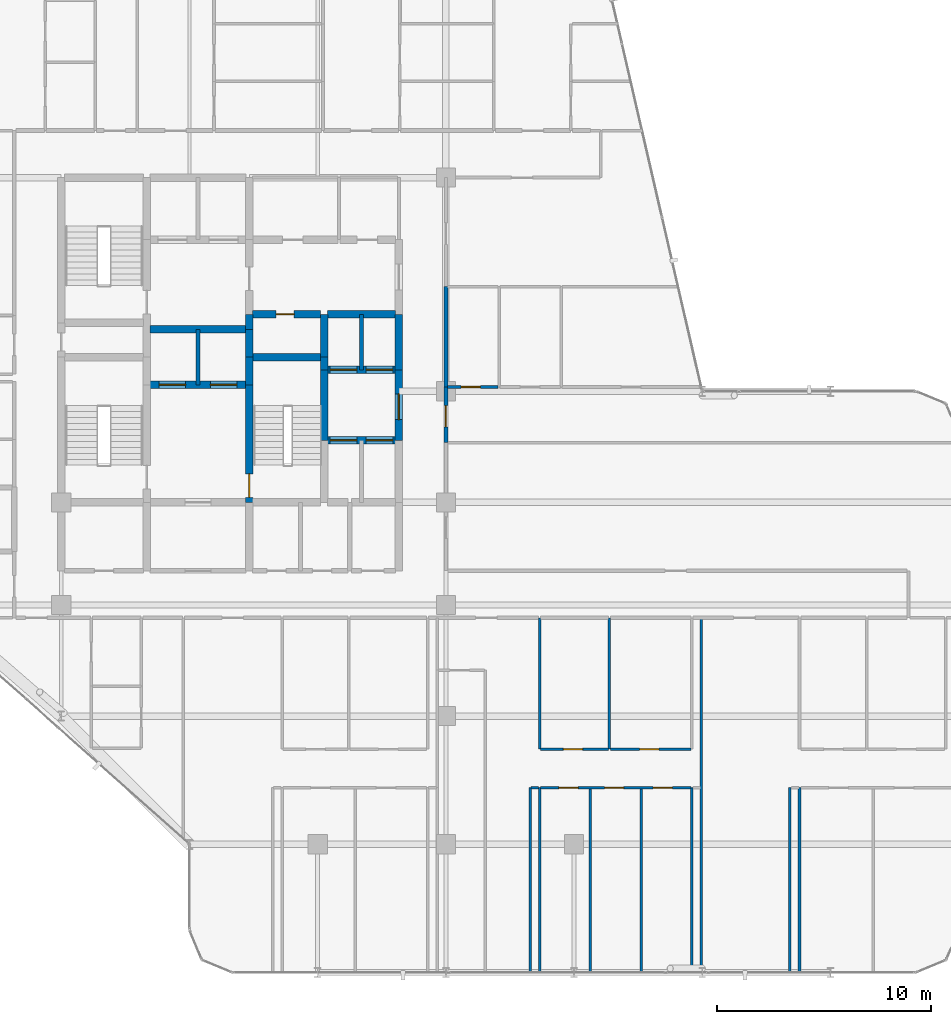
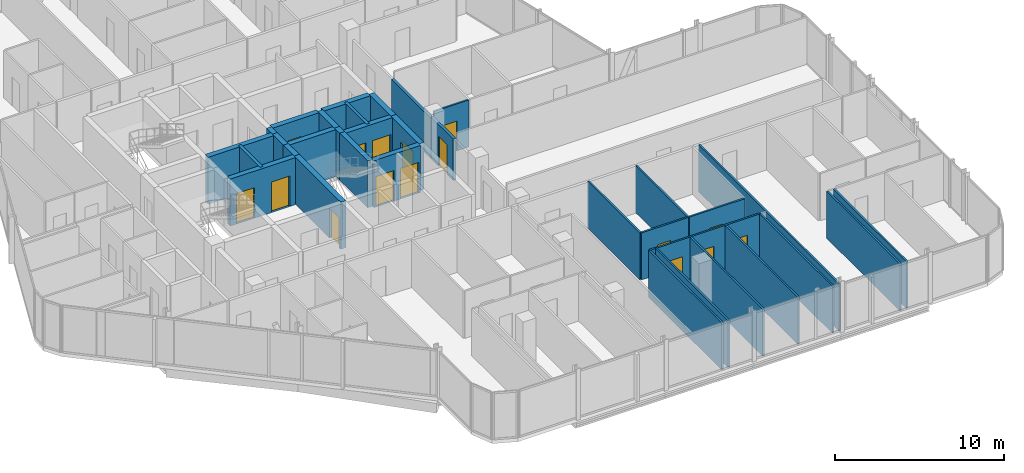
# One storey, part 25 of 29: 35 walls, 16 doors, 16 openings.
"""IFC4 building model written with IfcOpenShell, lengths in metres."""

from ifc_helpers import new_model, si_unit, direction, frame, frame_2d, origin, place, context, subcontext, project, spatial, rectangle, extrude, material, layer, layer_set, type_object, element, fill, save


model = new_model("IFC4")

# Units and contexts
model_context = context("Model", 3, precision=1e-05, world=origin(), true_north=direction((0.0, 1.0)))
body_context = subcontext(model_context, "Body", "Model", "MODEL_VIEW")
ifc_project = project(units=[si_unit("LENGTHUNIT", "METRE"), si_unit("AREAUNIT", "SQUARE_METRE"), si_unit("VOLUMEUNIT", "CUBIC_METRE"), si_unit("PLANEANGLEUNIT", "RADIAN"), si_unit("MASSUNIT", "GRAM", prefix="KILO")], contexts=[model_context])

# Site, building, storey
site_placement = place(None, origin())
site = spatial("IfcSite", under=ifc_project, at=site_placement, CompositionType="ELEMENT")
building_placement = place(site_placement, origin())
building = spatial("IfcBuilding", under=site, at=building_placement, Name="Keshet Zoharim Tower", CompositionType="ELEMENT")
storey_placement = place(building_placement, frame((0.0, 0.0, 172.800048828125)))
storey = spatial("IfcBuildingStorey", under=building, at=storey_placement, Name="L42", CompositionType="ELEMENT", Elevation=172.800048828125)

# Wall, opening, door
ifc_material_1 = material(Name="Concrete C60/75", Category="concrete")
ifc_layer_1 = layer(ifc_material_1, 0.35009765625)
ifc_layer_set_1 = layer_set([ifc_layer_1], Name="Concrete C60/75")
wall_type_1 = type_object("IfcWallType", Name="WL-CORE-350", PredefinedType="SHEAR", material=ifc_layer_set_1)
wall_1_placement = place(storey_placement, frame((23.800048828125, 22.699951171875, 0.0), z_axis=(0.0, 0.0, 1.0), x_axis=(0.0, 1.0, 0.0)))
wall_1 = element("IfcWall", 1, at=wall_1_placement, inside=storey, type_object=wall_type_1, Name="L42 Core Shear Wall 038", PredefinedType="SHEAR", context=body_context, shape_type="SweptSolid", body=[
    extrude(rectangle(XDim=5.5, YDim=0.35009765625, at=frame_2d((2.75, 0.0))), origin(), (0.0, 0.0, 1.0), 3.389892578125),
])
opening_1_placement = place(wall_1_placement, frame((0.235107421875, 0.0, 0.0)))
opening_1 = element("IfcOpeningElement", 2, at=opening_1_placement, cuts=wall_1, Name="Opening D-F611", PredefinedType="OPENING", context=body_context, shape_type="SweptSolid", body=[
    extrude(rectangle(XDim=1.10009765625, YDim=2.14990234375, at=frame_2d((0.550048828125, 1.074951171875))), frame((0.0, 0.18505859375, 0.0), z_axis=(0.0, -1.0, 0.0), x_axis=(1.0, 0.0, 0.0)), (0.0, 0.0, 1.0), 0.3701171875),
])
ifc_material_2 = material(Name="Hardwood Timber", Category="wood")
door_type_1 = type_object("IfcDoorType", Name="DR-FD60-110", OperationType="NOTDEFINED", PredefinedType="DOOR", material=ifc_material_2)
door_1_placement = place(opening_1_placement, frame((1.10009765625, 0.0, 0.0), z_axis=(0.0, 0.0, 1.0), x_axis=(-1.0, 0.0, 0.0)))
door_1 = element("IfcDoor", 3, at=door_1_placement, inside=storey, type_object=door_type_1, Name="L42 Exit Stair ST-03 Fire Door", OperationType="SINGLE_SWING_RIGHT", OverallHeight=2.14990234375, OverallWidth=1.10009765625, PredefinedType="DOOR", context=body_context, shape_type="SweptSolid", body=[
    extrude(rectangle(XDim=1.10009765625, YDim=2.14990234375, at=frame_2d((0.550048828125, 1.074951171875))), frame((0.0, 0.02490234375, 0.0), z_axis=(0.0, -1.0, 0.0), x_axis=(1.0, 0.0, 0.0)), (0.0, 0.0, 1.0), 0.050048828125),
])
fill(opening_1, door_1)

# Walls
for number, where, z_axis, x_axis, name in (
    (4, (23.800048828125, 28.199951171875, 0.0), (0.0, 0.0, 1.0), (0.0, 1.0, 0.0), "L42 Core Shear Wall 039"),
    (5, (23.800048828125, 29.5, 0.0), (0.0, 0.0, 1.0), (0.0, 1.0, 0.0), "L42 Core Shear Wall 040"),
):
    element("IfcWall", number, at=place(storey_placement, frame(where, z_axis=z_axis, x_axis=x_axis)), inside=storey, type_object=wall_type_1, Name=name, PredefinedType="SHEAR", context=body_context, shape_type="SweptSolid", body=[
        extrude(rectangle(XDim=1.300048828125, YDim=0.35009765625, at=frame_2d((0.64990234375, 0.0))), origin(), (0.0, 0.0, 1.0), 3.389892578125),
    ])
wall_2_placement = place(storey_placement, frame((23.800048828125, 30.800048828125, 0.0), z_axis=(0.0, 0.0, 1.0), x_axis=(0.0, 1.0, 0.0)))
element("IfcWall", 6, at=wall_2_placement, inside=storey, type_object=wall_type_1, Name="L42 Core Shear Wall 041", PredefinedType="SHEAR", context=body_context, shape_type="SweptSolid", body=[
    extrude(rectangle(XDim=0.699951171875, YDim=0.35009765625, at=frame_2d((0.35009765625, 0.0))), origin(), (0.0, 0.0, 1.0), 3.389892578125),
])
wall_3_placement = place(storey_placement, frame((27.300048828125, 25.60009765625, 0.0), z_axis=(0.0, 0.0, 1.0), x_axis=(0.0, 1.0, 0.0)))
element("IfcWall", 7, at=wall_3_placement, inside=storey, type_object=wall_type_1, Name="L42 Core Shear Wall 052", PredefinedType="SHEAR", context=body_context, shape_type="SweptSolid", body=[
    extrude(rectangle(XDim=3.2998046875, YDim=0.35009765625, at=frame_2d((1.64990234375, 0.0))), origin(), (0.0, 0.0, 1.0), 3.389892578125),
])
wall_4_placement = place(storey_placement, frame((27.300048828125, 28.89990234375, 0.0), z_axis=(0.0, 0.0, 1.0), x_axis=(0.0, 1.0, 0.0)))
element("IfcWall", 8, at=wall_4_placement, inside=storey, type_object=wall_type_1, Name="L42 Core Shear Wall 053", PredefinedType="SHEAR", context=body_context, shape_type="SweptSolid", body=[
    extrude(rectangle(XDim=0.60009765625, YDim=0.35009765625, at=frame_2d((0.300048828125, 0.0))), origin(), (0.0, 0.0, 1.0), 3.389892578125),
])
wall_5_placement = place(storey_placement, frame((27.300048828125, 29.5, 0.0), z_axis=(0.0, 0.0, 1.0), x_axis=(0.0, 1.0, 0.0)))
element("IfcWall", 9, at=wall_5_placement, inside=storey, type_object=wall_type_1, Name="L42 Core Shear Wall 054", PredefinedType="SHEAR", context=body_context, shape_type="SweptSolid", body=[
    extrude(rectangle(XDim=2.0, YDim=0.35009765625, at=frame_2d((1.0, 0.0))), origin(), (0.0, 0.0, 1.0), 3.389892578125),
])

# Wall, opening, door
wall_6_placement = place(storey_placement, frame((30.800048828125, 25.60009765625, 0.0), z_axis=(0.0, 0.0, 1.0), x_axis=(0.0, 1.0, 0.0)))
wall_6 = element("IfcWall", 10, at=wall_6_placement, inside=storey, type_object=wall_type_1, Name="L42 Core Shear Wall 063", PredefinedType="SHEAR", context=body_context, shape_type="SweptSolid", body=[
    extrude(rectangle(XDim=3.2998046875, YDim=0.35009765625, at=frame_2d((1.64990234375, 0.0))), origin(), (0.0, 0.0, 1.0), 3.389892578125),
])
opening_2_placement = place(wall_6_placement, frame((0.97802734375, 0.0, 0.0)))
opening_2 = element("IfcOpeningElement", 11, at=opening_2_placement, cuts=wall_6, Name="Opening D-F612", PredefinedType="OPENING", context=body_context, shape_type="SweptSolid", body=[
    extrude(rectangle(XDim=1.199951171875, YDim=2.199951171875, at=frame_2d((0.60009765625, 1.10009765625))), frame((0.0, 0.18505859375, 0.0), z_axis=(0.0, -1.0, 0.0), x_axis=(1.0, 0.0, 0.0)), (0.0, 0.0, 1.0), 0.3701171875),
])
door_type_2 = type_object("IfcDoorType", Name="DR-FD60-120", OperationType="NOTDEFINED", PredefinedType="DOOR", material=ifc_material_2)
door_2_placement = place(opening_2_placement, origin())
door_2 = element("IfcDoor", 12, at=door_2_placement, inside=storey, type_object=door_type_2, Name="L42 East Lift Lobby Fire Door", OperationType="SINGLE_SWING_RIGHT", OverallHeight=2.199951171875, OverallWidth=1.199951171875, PredefinedType="DOOR", context=body_context, shape_type="SweptSolid", body=[
    extrude(rectangle(XDim=1.199951171875, YDim=2.199951171875, at=frame_2d((0.60009765625, 1.10009765625))), frame((0.0, 0.02490234375, 0.0), z_axis=(0.0, -1.0, 0.0), x_axis=(1.0, 0.0, 0.0)), (0.0, 0.0, 1.0), 0.050048828125),
])
fill(opening_2, door_2)

# Wall
wall_7_placement = place(storey_placement, frame((30.800048828125, 28.89990234375, 0.0), z_axis=(0.0, 0.0, 1.0), x_axis=(0.0, 1.0, 0.0)))
element("IfcWall", 13, at=wall_7_placement, inside=storey, type_object=wall_type_1, Name="L42 Core Shear Wall 064", PredefinedType="SHEAR", context=body_context, shape_type="SweptSolid", body=[
    extrude(rectangle(XDim=2.60009765625, YDim=0.35009765625, at=frame_2d((1.300048828125, 0.0))), origin(), (0.0, 0.0, 1.0), 3.389892578125),
])

# Wall, openings, doors
wall_8_placement = place(storey_placement, frame((27.4599609375, 25.60009765625, 0.0), z_axis=(0.0, 0.0, 1.0), x_axis=(1.0, 0.0, 0.0)))
wall_8 = element("IfcWall", 14, at=wall_8_placement, inside=storey, type_object=wall_type_1, Name="L42 Core Shear Wall 152", PredefinedType="SHEAR", context=body_context, shape_type="SweptSolid", body=[
    extrude(rectangle(XDim=3.179931640625, YDim=0.35009765625, at=frame_2d((1.58984375, 0.0))), origin(), (0.0, 0.0, 1.0), 3.389892578125),
])
opening_3_placement = place(wall_8_placement, frame((0.1201171875, 0.0, 0.0)))
opening_3 = element("IfcOpeningElement", 15, at=opening_3_placement, cuts=wall_8, Name="Opening LD-01", PredefinedType="OPENING", context=body_context, shape_type="SweptSolid", body=[
    extrude(rectangle(XDim=1.25, YDim=2.199951171875, at=frame_2d((0.625, 1.10009765625))), frame((0.0, 0.18505859375, 0.0), z_axis=(0.0, -1.0, 0.0), x_axis=(1.0, 0.0, 0.0)), (0.0, 0.0, 1.0), 0.3701171875),
])
opening_4_placement = place(wall_8_placement, frame((1.81005859375, 0.0, 0.0)))
opening_4 = element("IfcOpeningElement", 16, at=opening_4_placement, cuts=wall_8, Name="Opening LD-01", PredefinedType="OPENING", context=body_context, shape_type="SweptSolid", body=[
    extrude(rectangle(XDim=1.25, YDim=2.199951171875, at=frame_2d((0.625, 1.10009765625))), frame((0.0, 0.18505859375, 0.0), z_axis=(0.0, -1.0, 0.0), x_axis=(1.0, 0.0, 0.0)), (0.0, 0.0, 1.0), 0.3701171875),
])
ifc_material_3 = material(Name="Steel S355", Category="steel")
door_type_3 = type_object("IfcDoorType", Name="DR-LD01-125", OperationType="DOUBLE_DOOR_SLIDING", PredefinedType="DOOR", material=ifc_material_3)
door_3_placement = place(opening_3_placement, origin())
door_3 = element("IfcDoor", 17, at=door_3_placement, inside=storey, type_object=door_type_3, Name="L42 Passenger Lift Landing Door LF-07", OperationType="DOUBLE_DOOR_SLIDING", OverallHeight=2.199951171875, OverallWidth=1.25, PredefinedType="DOOR", context=body_context, shape_type="SweptSolid", body=[
    extrude(rectangle(XDim=1.25, YDim=2.199951171875, at=frame_2d((0.625, 1.10009765625))), frame((0.0, 0.02490234375, 0.0), z_axis=(0.0, -1.0, 0.0), x_axis=(1.0, 0.0, 0.0)), (0.0, 0.0, 1.0), 0.050048828125),
])
fill(opening_3, door_3)
door_4_placement = place(opening_4_placement, origin())
door_4 = element("IfcDoor", 18, at=door_4_placement, inside=storey, type_object=door_type_3, Name="L42 Passenger Lift Landing Door LF-08", OperationType="DOUBLE_DOOR_SLIDING", OverallHeight=2.199951171875, OverallWidth=1.25, PredefinedType="DOOR", context=body_context, shape_type="SweptSolid", body=[
    extrude(rectangle(XDim=1.25, YDim=2.199951171875, at=frame_2d((0.625, 1.10009765625))), frame((0.0, 0.02490234375, 0.0), z_axis=(0.0, -1.0, 0.0), x_axis=(1.0, 0.0, 0.0)), (0.0, 0.0, 1.0), 0.050048828125),
])
fill(opening_4, door_4)

wall_9_placement = place(storey_placement, frame((19.159912109375, 28.199951171875, 0.0), z_axis=(0.0, 0.0, 1.0), x_axis=(1.0, 0.0, 0.0)))
wall_9 = element("IfcWall", 19, at=wall_9_placement, inside=storey, type_object=wall_type_1, Name="L42 Core Shear Wall 158", PredefinedType="SHEAR", context=body_context, shape_type="SweptSolid", body=[
    extrude(rectangle(XDim=4.47998046875, YDim=0.35009765625, at=frame_2d((2.239990234375, 0.0))), origin(), (0.0, 0.0, 1.0), 3.389892578125),
])
opening_5_placement = place(wall_9_placement, frame((0.4150390625, 0.0, 0.0)))
opening_5 = element("IfcOpeningElement", 20, at=opening_5_placement, cuts=wall_9, Name="Opening LD-01", PredefinedType="OPENING", context=body_context, shape_type="SweptSolid", body=[
    extrude(rectangle(XDim=1.25, YDim=2.199951171875, at=frame_2d((0.625, 1.10009765625))), frame((0.0, 0.18505859375, 0.0), z_axis=(0.0, -1.0, 0.0), x_axis=(1.0, 0.0, 0.0)), (0.0, 0.0, 1.0), 0.3701171875),
])
opening_6_placement = place(wall_9_placement, frame((2.81494140625, 0.0, 0.0)))
opening_6 = element("IfcOpeningElement", 21, at=opening_6_placement, cuts=wall_9, Name="Opening LD-01", PredefinedType="OPENING", context=body_context, shape_type="SweptSolid", body=[
    extrude(rectangle(XDim=1.25, YDim=2.199951171875, at=frame_2d((0.625, 1.10009765625))), frame((0.0, 0.18505859375, 0.0), z_axis=(0.0, -1.0, 0.0), x_axis=(1.0, 0.0, 0.0)), (0.0, 0.0, 1.0), 0.3701171875),
])
door_5_placement = place(opening_5_placement, origin())
door_5 = element("IfcDoor", 22, at=door_5_placement, inside=storey, type_object=door_type_3, Name="L42 Passenger Lift Landing Door LF-09", OperationType="DOUBLE_DOOR_SLIDING", OverallHeight=2.199951171875, OverallWidth=1.25, PredefinedType="DOOR", context=body_context, shape_type="SweptSolid", body=[
    extrude(rectangle(XDim=1.25, YDim=2.199951171875, at=frame_2d((0.625, 1.10009765625))), frame((0.0, 0.02490234375, 0.0), z_axis=(0.0, -1.0, 0.0), x_axis=(1.0, 0.0, 0.0)), (0.0, 0.0, 1.0), 0.050048828125),
])
fill(opening_5, door_5)
door_6_placement = place(opening_6_placement, origin())
door_6 = element("IfcDoor", 23, at=door_6_placement, inside=storey, type_object=door_type_3, Name="L42 Passenger Lift Landing Door LF-10", OperationType="DOUBLE_DOOR_SLIDING", OverallHeight=2.199951171875, OverallWidth=1.25, PredefinedType="DOOR", context=body_context, shape_type="SweptSolid", body=[
    extrude(rectangle(XDim=1.25, YDim=2.199951171875, at=frame_2d((0.625, 1.10009765625))), frame((0.0, 0.02490234375, 0.0), z_axis=(0.0, -1.0, 0.0), x_axis=(1.0, 0.0, 0.0)), (0.0, 0.0, 1.0), 0.050048828125),
])
fill(opening_6, door_6)

wall_10_placement = place(storey_placement, frame((27.4599609375, 28.89990234375, 0.0), z_axis=(0.0, 0.0, 1.0), x_axis=(1.0, 0.0, 0.0)))
wall_10 = element("IfcWall", 24, at=wall_10_placement, inside=storey, type_object=wall_type_1, Name="L42 Core Shear Wall 163", PredefinedType="SHEAR", context=body_context, shape_type="SweptSolid", body=[
    extrude(rectangle(XDim=3.179931640625, YDim=0.35009765625, at=frame_2d((1.58984375, 0.0))), origin(), (0.0, 0.0, 1.0), 3.389892578125),
])
opening_7_placement = place(wall_10_placement, frame((0.1201171875, 0.0, 0.0)))
opening_7 = element("IfcOpeningElement", 25, at=opening_7_placement, cuts=wall_10, Name="Opening LD-01", PredefinedType="OPENING", context=body_context, shape_type="SweptSolid", body=[
    extrude(rectangle(XDim=1.25, YDim=2.199951171875, at=frame_2d((0.625, 1.10009765625))), frame((0.0, 0.18505859375, 0.0), z_axis=(0.0, -1.0, 0.0), x_axis=(1.0, 0.0, 0.0)), (0.0, 0.0, 1.0), 0.3701171875),
])
opening_8_placement = place(wall_10_placement, frame((1.81005859375, 0.0, 0.0)))
opening_8 = element("IfcOpeningElement", 26, at=opening_8_placement, cuts=wall_10, Name="Opening LD-01", PredefinedType="OPENING", context=body_context, shape_type="SweptSolid", body=[
    extrude(rectangle(XDim=1.25, YDim=2.199951171875, at=frame_2d((0.625, 1.10009765625))), frame((0.0, 0.18505859375, 0.0), z_axis=(0.0, -1.0, 0.0), x_axis=(1.0, 0.0, 0.0)), (0.0, 0.0, 1.0), 0.3701171875),
])
door_7_placement = place(opening_7_placement, origin())
door_7 = element("IfcDoor", 27, at=door_7_placement, inside=storey, type_object=door_type_3, Name="L42 Passenger Lift Landing Door LF-05", OperationType="DOUBLE_DOOR_SLIDING", OverallHeight=2.199951171875, OverallWidth=1.25, PredefinedType="DOOR", context=body_context, shape_type="SweptSolid", body=[
    extrude(rectangle(XDim=1.25, YDim=2.199951171875, at=frame_2d((0.625, 1.10009765625))), frame((0.0, 0.02490234375, 0.0), z_axis=(0.0, -1.0, 0.0), x_axis=(1.0, 0.0, 0.0)), (0.0, 0.0, 1.0), 0.050048828125),
])
fill(opening_7, door_7)
door_8_placement = place(opening_8_placement, origin())
door_8 = element("IfcDoor", 28, at=door_8_placement, inside=storey, type_object=door_type_3, Name="L42 Passenger Lift Landing Door LF-06", OperationType="DOUBLE_DOOR_SLIDING", OverallHeight=2.199951171875, OverallWidth=1.25, PredefinedType="DOOR", context=body_context, shape_type="SweptSolid", body=[
    extrude(rectangle(XDim=1.25, YDim=2.199951171875, at=frame_2d((0.625, 1.10009765625))), frame((0.0, 0.02490234375, 0.0), z_axis=(0.0, -1.0, 0.0), x_axis=(1.0, 0.0, 0.0)), (0.0, 0.0, 1.0), 0.050048828125),
])
fill(opening_8, door_8)

# Walls
wall_11_placement = place(storey_placement, frame((23.9599609375, 29.5, 0.0), z_axis=(0.0, 0.0, 1.0), x_axis=(1.0, 0.0, 0.0)))
element("IfcWall", 29, at=wall_11_placement, inside=storey, type_object=wall_type_1, Name="L42 Core Shear Wall 165", PredefinedType="SHEAR", context=body_context, shape_type="SweptSolid", body=[
    extrude(rectangle(XDim=3.179931640625, YDim=0.35009765625, at=frame_2d((1.58984375, 0.0))), origin(), (0.0, 0.0, 1.0), 3.389892578125),
])
wall_12_placement = place(storey_placement, frame((19.159912109375, 30.800048828125, 0.0), z_axis=(0.0, 0.0, 1.0), x_axis=(1.0, 0.0, 0.0)))
element("IfcWall", 30, at=wall_12_placement, inside=storey, type_object=wall_type_1, Name="L42 Core Shear Wall 166", PredefinedType="SHEAR", context=body_context, shape_type="SweptSolid", body=[
    extrude(rectangle(XDim=4.47998046875, YDim=0.35009765625, at=frame_2d((2.239990234375, 0.0))), origin(), (0.0, 0.0, 1.0), 3.389892578125),
])

# Wall, opening, door
wall_13_placement = place(storey_placement, frame((23.9599609375, 31.5, 0.0), z_axis=(0.0, 0.0, 1.0), x_axis=(1.0, 0.0, 0.0)))
wall_13 = element("IfcWall", 31, at=wall_13_placement, inside=storey, type_object=wall_type_1, Name="L42 Core Shear Wall 170", PredefinedType="SHEAR", context=body_context, shape_type="SweptSolid", body=[
    extrude(rectangle(XDim=3.179931640625, YDim=0.35009765625, at=frame_2d((1.58984375, 0.0))), origin(), (0.0, 0.0, 1.0), 3.389892578125),
])
opening_9_placement = place(wall_13_placement, frame((1.093994140625, 0.0, 0.0)))
opening_9 = element("IfcOpeningElement", 32, at=opening_9_placement, cuts=wall_13, Name="Opening D-RS85", PredefinedType="OPENING", context=body_context, shape_type="SweptSolid", body=[
    extrude(rectangle(XDim=0.85009765625, YDim=2.10009765625, at=frame_2d((0.425048828125, 1.050048828125))), frame((0.0, 0.18505859375, 0.0), z_axis=(0.0, -1.0, 0.0), x_axis=(1.0, 0.0, 0.0)), (0.0, 0.0, 1.0), 0.3701171875),
])
door_type_4 = type_object("IfcDoorType", Name="DR-RIS-085", OperationType="NOTDEFINED", PredefinedType="DOOR", material=ifc_material_2)
door_9_placement = place(opening_9_placement, origin())
door_9 = element("IfcDoor", 33, at=door_9_placement, inside=storey, type_object=door_type_4, Name="L42 Telecom Riser Access Cupboard Door", OperationType="SINGLE_SWING_LEFT", OverallHeight=2.10009765625, OverallWidth=0.85009765625, PredefinedType="DOOR", context=body_context, shape_type="SweptSolid", body=[
    extrude(rectangle(XDim=0.85009765625, YDim=2.10009765625, at=frame_2d((0.425048828125, 1.050048828125))), frame((0.0, 0.02490234375, 0.0), z_axis=(0.0, -1.0, 0.0), x_axis=(1.0, 0.0, 0.0)), (0.0, 0.0, 1.0), 0.050048828125),
])
fill(opening_9, door_9)

# Wall
wall_14_placement = place(storey_placement, frame((27.4599609375, 31.5, 0.0), z_axis=(0.0, 0.0, 1.0), x_axis=(1.0, 0.0, 0.0)))
element("IfcWall", 34, at=wall_14_placement, inside=storey, type_object=wall_type_1, Name="L42 Core Shear Wall 171", PredefinedType="SHEAR", context=body_context, shape_type="SweptSolid", body=[
    extrude(rectangle(XDim=3.179931640625, YDim=0.35009765625, at=frame_2d((1.58984375, 0.0))), origin(), (0.0, 0.0, 1.0), 3.389892578125),
])

# Wall, opening, door
ifc_material_4 = material(Name="Gypsum Plasterboard", Category="gypsum")
ifc_layer_2 = layer(ifc_material_4, 0.179931640625)
ifc_layer_set_2 = layer_set([ifc_layer_2], Name="Gypsum Plasterboard")
wall_type_2 = type_object("IfcWallType", Name="WL-CORR-180", PredefinedType="STANDARD", material=ifc_layer_set_2)
wall_15_placement = place(storey_placement, frame((33.0, 25.510009765625, 0.0), z_axis=(0.0, 0.0, 1.0), x_axis=(0.0, 1.0, 0.0)))
wall_15 = element("IfcWall", 35, at=wall_15_placement, inside=storey, type_object=wall_type_2, Name="L42 Interior Wall 076", PredefinedType="STANDARD", context=body_context, shape_type="SweptSolid", body=[
    extrude(rectangle(XDim=2.60009765625, YDim=0.179931640625, at=frame_2d((1.300048828125, 0.0))), origin(), (0.0, 0.0, 1.0), 2.989990234375),
])
opening_10_placement = place(wall_15_placement, frame((0.722900390625, 0.0, 0.0)))
opening_10 = element("IfcOpeningElement", 36, at=opening_10_placement, cuts=wall_15, Name="Opening D-F310", PredefinedType="OPENING", context=body_context, shape_type="SweptSolid", body=[
    extrude(rectangle(XDim=1.0, YDim=2.14990234375, at=frame_2d((0.5, 1.074951171875))), frame((0.0, 0.10009765625, 0.0), z_axis=(0.0, -1.0, 0.0), x_axis=(1.0, 0.0, 0.0)), (0.0, 0.0, 1.0), 0.199951171875),
])
door_type_5 = type_object("IfcDoorType", Name="DR-FD30-100", OperationType="NOTDEFINED", PredefinedType="DOOR", material=ifc_material_2)
door_10_placement = place(opening_10_placement, origin())
door_10 = element("IfcDoor", 37, at=door_10_placement, inside=storey, type_object=door_type_5, Name="Apartment 4211 Entrance Door", OperationType="SINGLE_SWING_LEFT", OverallHeight=2.14990234375, OverallWidth=1.0, PredefinedType="DOOR", context=body_context, shape_type="SweptSolid", body=[
    extrude(rectangle(XDim=1.0, YDim=2.14990234375, at=frame_2d((0.5, 1.074951171875))), frame((0.0, 0.02490234375, 0.0), z_axis=(0.0, -1.0, 0.0), x_axis=(1.0, 0.0, 0.0)), (0.0, 0.0, 1.0), 0.050048828125),
])
fill(opening_10, door_10)

# Walls
wall_16_placement = place(storey_placement, frame((33.0, 28.110107421875, 0.0), z_axis=(0.0, 0.0, 1.0), x_axis=(0.0, 1.0, 0.0)))
element("IfcWall", 38, at=wall_16_placement, inside=storey, type_object=wall_type_2, Name="L42 Interior Wall 077", PredefinedType="STANDARD", context=body_context, shape_type="SweptSolid", body=[
    extrude(rectangle(XDim=4.68994140625, YDim=0.179931640625, at=frame_2d((2.344970703125, 0.0))), origin(), (0.0, 0.0, 1.0), 2.889892578125),
])
ifc_material_5 = material(Name="Concrete C50/60", Category="concrete")
ifc_layer_3 = layer(ifc_material_5, 0.199951171875)
ifc_layer_set_3 = layer_set([ifc_layer_3], Name="Concrete C50/60")
wall_type_3 = type_object("IfcWallType", Name="WL-FIRE-200", PredefinedType="STANDARD", material=ifc_layer_set_3)
for number, where, z_axis, x_axis, name in (
    (39, (21.39990234375, 28.199951171875, 0.0), (0.0, 0.0, 1.0), (0.0, 1.0, 0.0), "L42 Interior Wall 032"),
    (40, (29.050048828125, 28.89990234375, 0.0), (0.0, 0.0, 1.0), (0.0, 1.0, 0.0), "L42 Interior Wall 060"),
):
    element("IfcWall", number, at=place(storey_placement, frame(where, z_axis=z_axis, x_axis=x_axis)), inside=storey, type_object=wall_type_3, Name=name, PredefinedType="STANDARD", context=body_context, shape_type="SweptSolid", body=[
        extrude(rectangle(XDim=2.60009765625, YDim=0.199951171875, at=frame_2d((1.300048828125, 0.0))), origin(), (0.0, 0.0, 1.0), 3.389892578125),
    ])
ifc_layer_4 = layer(ifc_material_4, 0.1201171875)
ifc_layer_set_4 = layer_set([ifc_layer_4], Name="Gypsum Plasterboard")
wall_type_4 = type_object("IfcWallType", Name="WL-PART-120", PredefinedType="PARTITIONING", material=ifc_layer_set_4)
for number, where, z_axis, x_axis, name in (
    (41, (36.949951171875, 0.7099609375, 0.0), (0.0, 0.0, 1.0), (0.0, 1.0, 0.0), "L42 Interior Wall 084"),
    (42, (37.39990234375, 0.7099609375, 0.0), (0.0, 0.0, 1.0), (0.0, 1.0, 0.0), "L42 Interior Wall 085"),
):
    element("IfcWall", number, at=place(storey_placement, frame(where, z_axis=z_axis, x_axis=x_axis)), inside=storey, type_object=wall_type_4, Name=name, PredefinedType="PARTITIONING", context=body_context, shape_type="SweptSolid", body=[
        extrude(rectangle(XDim=8.64013671875, YDim=0.1201171875, at=frame_2d((4.320068359375, 0.0))), origin(), (0.0, 0.0, 1.0), 3.389892578125),
    ])
wall_17_placement = place(storey_placement, frame((37.39990234375, 11.14990234375, 0.0), z_axis=(0.0, 0.0, 1.0), x_axis=(0.0, 1.0, 0.0)))
element("IfcWall", 43, at=wall_17_placement, inside=storey, type_object=wall_type_4, Name="L42 Interior Wall 086", PredefinedType="PARTITIONING", context=body_context, shape_type="SweptSolid", body=[
    extrude(rectangle(XDim=6.150146484375, YDim=0.1201171875, at=frame_2d((3.0751953125, 0.0))), origin(), (0.0, 0.0, 1.0), 3.389892578125),
])
for number, where, z_axis, x_axis, name in (
    (44, (39.75, 0.7099609375, 0.0), (0.0, 0.0, 1.0), (0.0, 1.0, 0.0), "L42 Interior Wall 090"),
    (45, (42.14990234375, 0.7099609375, 0.0), (0.0, 0.0, 1.0), (0.0, 1.0, 0.0), "L42 Interior Wall 093"),
    (46, (44.5, 0.7099609375, 0.0), (0.0, 0.0, 1.0), (0.0, 1.0, 0.0), "L42 Interior Wall 094"),
):
    element("IfcWall", number, at=place(storey_placement, frame(where, z_axis=z_axis, x_axis=x_axis)), inside=storey, type_object=wall_type_4, Name=name, PredefinedType="PARTITIONING", context=body_context, shape_type="SweptSolid", body=[
        extrude(rectangle(XDim=8.64013671875, YDim=0.1201171875, at=frame_2d((4.320068359375, 0.0))), origin(), (0.0, 0.0, 1.0), 3.389892578125),
    ])
wall_18_placement = place(storey_placement, frame((44.949951171875, 0.7099609375, 0.0), z_axis=(0.0, 0.0, 1.0), x_axis=(0.0, 1.0, 0.0)))
element("IfcWall", 47, at=wall_18_placement, inside=storey, type_object=wall_type_4, Name="L42 Interior Wall 096", PredefinedType="PARTITIONING", context=body_context, shape_type="SweptSolid", body=[
    extrude(rectangle(XDim=16.590087890625, YDim=0.1201171875, at=frame_2d((8.294921875, 0.0))), origin(), (0.0, 0.0, 1.0), 3.389892578125),
])
for number, where, z_axis, x_axis, name in (
    (48, (49.10009765625, 0.7099609375, 0.0), (0.0, 0.0, 1.0), (0.0, 1.0, 0.0), "L42 Interior Wall 097"),
    (49, (49.550048828125, 0.7099609375, 0.0), (0.0, 0.0, 1.0), (0.0, 1.0, 0.0), "L42 Interior Wall 098"),
):
    element("IfcWall", number, at=place(storey_placement, frame(where, z_axis=z_axis, x_axis=x_axis)), inside=storey, type_object=wall_type_4, Name=name, PredefinedType="PARTITIONING", context=body_context, shape_type="SweptSolid", body=[
        extrude(rectangle(XDim=8.64013671875, YDim=0.1201171875, at=frame_2d((4.320068359375, 0.0))), origin(), (0.0, 0.0, 1.0), 3.389892578125),
    ])
wall_19_placement = place(storey_placement, frame((36.97509765625, 9.35009765625, 0.0), z_axis=(0.0, 0.0, 1.0), x_axis=(1.0, 0.0, 0.0)))
element("IfcWall", 50, at=wall_19_placement, inside=storey, type_object=wall_type_4, Name="L42 Interior Wall 107", PredefinedType="PARTITIONING", context=body_context, shape_type="SweptSolid", body=[
    extrude(rectangle(XDim=0.35986328125, YDim=0.1201171875, at=frame_2d((0.179931640625, 0.0))), origin(), (0.0, 0.0, 1.0), 3.389892578125),
])

# Wall, openings, doors
wall_20_placement = place(storey_placement, frame((37.425048828125, 9.35009765625, 0.0), z_axis=(0.0, 0.0, 1.0), x_axis=(1.0, 0.0, 0.0)))
wall_20 = element("IfcWall", 51, at=wall_20_placement, inside=storey, type_object=wall_type_4, Name="L42 Interior Wall 108", PredefinedType="PARTITIONING", context=body_context, shape_type="SweptSolid", body=[
    extrude(rectangle(XDim=7.0400390625, YDim=0.1201171875, at=frame_2d((3.52001953125, 0.0))), origin(), (0.0, 0.0, 1.0), 3.389892578125),
])
opening_11_placement = place(wall_20_placement, frame((0.867919921875, 0.0, 0.0)))
opening_11 = element("IfcOpeningElement", 52, at=opening_11_placement, cuts=wall_20, Name="Opening D-IN90", PredefinedType="OPENING", context=body_context, shape_type="SweptSolid", body=[
    extrude(rectangle(XDim=0.89990234375, YDim=2.14990234375, at=frame_2d((0.449951171875, 1.074951171875))), frame((0.0, 0.070068359375, 0.0), z_axis=(0.0, -1.0, 0.0), x_axis=(1.0, 0.0, 0.0)), (0.0, 0.0, 1.0), 0.14013671875),
])
opening_12_placement = place(wall_20_placement, frame((2.9990234375, 0.0, 0.0)))
opening_12 = element("IfcOpeningElement", 53, at=opening_12_placement, cuts=wall_20, Name="Opening D-IN90", PredefinedType="OPENING", context=body_context, shape_type="SweptSolid", body=[
    extrude(rectangle(XDim=0.89990234375, YDim=2.14990234375, at=frame_2d((0.449951171875, 1.074951171875))), frame((0.0, 0.070068359375, 0.0), z_axis=(0.0, -1.0, 0.0), x_axis=(1.0, 0.0, 0.0)), (0.0, 0.0, 1.0), 0.14013671875),
])
opening_13_placement = place(wall_20_placement, frame((5.27197265625, 0.0, 0.0)))
opening_13 = element("IfcOpeningElement", 54, at=opening_13_placement, cuts=wall_20, Name="Opening D-IN90", PredefinedType="OPENING", context=body_context, shape_type="SweptSolid", body=[
    extrude(rectangle(XDim=0.89990234375, YDim=2.14990234375, at=frame_2d((0.449951171875, 1.074951171875))), frame((0.0, 0.070068359375, 0.0), z_axis=(0.0, -1.0, 0.0), x_axis=(1.0, 0.0, 0.0)), (0.0, 0.0, 1.0), 0.14013671875),
])
door_type_6 = type_object("IfcDoorType", Name="DR-INT-090", OperationType="NOTDEFINED", PredefinedType="DOOR", material=ifc_material_2)
door_11_placement = place(opening_11_placement, origin())
door_11 = element("IfcDoor", 55, at=door_11_placement, inside=storey, type_object=door_type_6, Name="Apartment 4203 Bedroom 1 Door", OperationType="SINGLE_SWING_LEFT", OverallHeight=2.14990234375, OverallWidth=0.89990234375, PredefinedType="DOOR", context=body_context, shape_type="SweptSolid", body=[
    extrude(rectangle(XDim=0.89990234375, YDim=2.14990234375, at=frame_2d((0.449951171875, 1.074951171875))), frame((0.0, 0.02490234375, 0.0), z_axis=(0.0, -1.0, 0.0), x_axis=(1.0, 0.0, 0.0)), (0.0, 0.0, 1.0), 0.050048828125),
])
fill(opening_11, door_11)
door_12_placement = place(opening_12_placement, origin())
door_12 = element("IfcDoor", 56, at=door_12_placement, inside=storey, type_object=door_type_6, Name="Apartment 4203 Bedroom 2 Door", OperationType="SINGLE_SWING_RIGHT", OverallHeight=2.14990234375, OverallWidth=0.89990234375, PredefinedType="DOOR", context=body_context, shape_type="SweptSolid", body=[
    extrude(rectangle(XDim=0.89990234375, YDim=2.14990234375, at=frame_2d((0.449951171875, 1.074951171875))), frame((0.0, 0.02490234375, 0.0), z_axis=(0.0, -1.0, 0.0), x_axis=(1.0, 0.0, 0.0)), (0.0, 0.0, 1.0), 0.050048828125),
])
fill(opening_12, door_12)
door_13_placement = place(opening_13_placement, origin())
door_13 = element("IfcDoor", 57, at=door_13_placement, inside=storey, type_object=door_type_6, Name="Apartment 4203 Bedroom 3 Door", OperationType="SINGLE_SWING_LEFT", OverallHeight=2.14990234375, OverallWidth=0.89990234375, PredefinedType="DOOR", context=body_context, shape_type="SweptSolid", body=[
    extrude(rectangle(XDim=0.89990234375, YDim=2.14990234375, at=frame_2d((0.449951171875, 1.074951171875))), frame((0.0, 0.02490234375, 0.0), z_axis=(0.0, -1.0, 0.0), x_axis=(1.0, 0.0, 0.0)), (0.0, 0.0, 1.0), 0.050048828125),
])
fill(opening_13, door_13)

# Wall, opening, door
wall_21_placement = place(storey_placement, frame((37.425048828125, 11.14990234375, 0.0), z_axis=(0.0, 0.0, 1.0), x_axis=(1.0, 0.0, 0.0)))
wall_21 = element("IfcWall", 58, at=wall_21_placement, inside=storey, type_object=wall_type_4, Name="L42 Interior Wall 114", PredefinedType="PARTITIONING", context=body_context, shape_type="SweptSolid", body=[
    extrude(rectangle(XDim=3.18994140625, YDim=0.1201171875, at=frame_2d((1.594970703125, 0.0))), origin(), (0.0, 0.0, 1.0), 3.389892578125),
])
opening_14_placement = place(wall_21_placement, frame((1.072998046875, 0.0, 0.0)))
opening_14 = element("IfcOpeningElement", 59, at=opening_14_placement, cuts=wall_21, Name="Opening D-IN90", PredefinedType="OPENING", context=body_context, shape_type="SweptSolid", body=[
    extrude(rectangle(XDim=0.89990234375, YDim=2.14990234375, at=frame_2d((0.449951171875, 1.074951171875))), frame((0.0, 0.070068359375, 0.0), z_axis=(0.0, -1.0, 0.0), x_axis=(1.0, 0.0, 0.0)), (0.0, 0.0, 1.0), 0.14013671875),
])
door_14_placement = place(opening_14_placement, origin())
door_14 = element("IfcDoor", 60, at=door_14_placement, inside=storey, type_object=door_type_6, Name="Apartment 4203 Kitchen Door", OperationType="SINGLE_SWING_RIGHT", OverallHeight=2.14990234375, OverallWidth=0.89990234375, PredefinedType="DOOR", context=body_context, shape_type="SweptSolid", body=[
    extrude(rectangle(XDim=0.89990234375, YDim=2.14990234375, at=frame_2d((0.449951171875, 1.074951171875))), frame((0.0, 0.02490234375, 0.0), z_axis=(0.0, -1.0, 0.0), x_axis=(1.0, 0.0, 0.0)), (0.0, 0.0, 1.0), 0.050048828125),
])
fill(opening_14, door_14)

wall_22_placement = place(storey_placement, frame((33.074951171875, 28.10009765625, 0.0), z_axis=(0.0, 0.0, 1.0), x_axis=(1.0, 0.0, 0.0)))
wall_22 = element("IfcWall", 61, at=wall_22_placement, inside=storey, type_object=wall_type_4, Name="L42 Interior Wall 155", PredefinedType="PARTITIONING", context=body_context, shape_type="SweptSolid", body=[
    extrude(rectangle(XDim=2.364013671875, YDim=0.1201171875, at=frame_2d((1.18212890625, 0.0))), origin(), (0.0, 0.0, 1.0), 3.389892578125),
])
opening_15_placement = place(wall_22_placement, frame((0.64111328125, 0.0, 0.0)))
opening_15 = element("IfcOpeningElement", 62, at=opening_15_placement, cuts=wall_22, Name="Opening D-IN90", PredefinedType="OPENING", context=body_context, shape_type="SweptSolid", body=[
    extrude(rectangle(XDim=0.89990234375, YDim=2.14990234375, at=frame_2d((0.449951171875, 1.074951171875))), frame((0.0, 0.070068359375, 0.0), z_axis=(0.0, -1.0, 0.0), x_axis=(1.0, 0.0, 0.0)), (0.0, 0.0, 1.0), 0.14013671875),
])
door_15_placement = place(opening_15_placement, origin())
door_15 = element("IfcDoor", 63, at=door_15_placement, inside=storey, type_object=door_type_6, Name="Apartment 4211 Kitchen Door", OperationType="SINGLE_SWING_RIGHT", OverallHeight=2.14990234375, OverallWidth=0.89990234375, PredefinedType="DOOR", context=body_context, shape_type="SweptSolid", body=[
    extrude(rectangle(XDim=0.89990234375, YDim=2.14990234375, at=frame_2d((0.449951171875, 1.074951171875))), frame((0.0, 0.02490234375, 0.0), z_axis=(0.0, -1.0, 0.0), x_axis=(1.0, 0.0, 0.0)), (0.0, 0.0, 1.0), 0.050048828125),
])
fill(opening_15, door_15)

# Wall
ifc_layer_5 = layer(ifc_material_4, 0.1201171875)
ifc_layer_set_5 = layer_set([ifc_layer_5], Name="Gypsum Plasterboard")
wall_type_5 = type_object("IfcWallType", Name="WL-WET-120", PredefinedType="PARTITIONING", material=ifc_layer_set_5)
wall_23_placement = place(storey_placement, frame((40.64990234375, 11.14990234375, 0.0), z_axis=(0.0, 0.0, 1.0), x_axis=(0.0, 1.0, 0.0)))
element("IfcWall", 64, at=wall_23_placement, inside=storey, type_object=wall_type_5, Name="L42 Interior Wall 092", PredefinedType="PARTITIONING", context=body_context, shape_type="SweptSolid", body=[
    extrude(rectangle(XDim=6.150146484375, YDim=0.1201171875, at=frame_2d((3.0751953125, 0.0))), origin(), (0.0, 0.0, 1.0), 3.389892578125),
])

# Wall, opening, door
wall_24_placement = place(storey_placement, frame((40.705078125, 11.14990234375, 0.0), z_axis=(0.0, 0.0, 1.0), x_axis=(1.0, 0.0, 0.0)))
wall_24 = element("IfcWall", 65, at=wall_24_placement, inside=storey, type_object=wall_type_5, Name="L42 Interior Wall 115", PredefinedType="PARTITIONING", context=body_context, shape_type="SweptSolid", body=[
    extrude(rectangle(XDim=3.760009765625, YDim=0.1201171875, at=frame_2d((1.8798828125, 0.0))), origin(), (0.0, 0.0, 1.0), 3.389892578125),
])
opening_16_placement = place(wall_24_placement, frame((1.35791015625, 0.0, 0.0)))
opening_16 = element("IfcOpeningElement", 66, at=opening_16_placement, cuts=wall_24, Name="Opening D-WT90", PredefinedType="OPENING", context=body_context, shape_type="SweptSolid", body=[
    extrude(rectangle(XDim=0.89990234375, YDim=2.10009765625, at=frame_2d((0.449951171875, 1.050048828125))), frame((0.0, 0.070068359375, 0.0), z_axis=(0.0, -1.0, 0.0), x_axis=(1.0, 0.0, 0.0)), (0.0, 0.0, 1.0), 0.14013671875),
])
door_type_7 = type_object("IfcDoorType", Name="DR-WET-090", OperationType="NOTDEFINED", PredefinedType="DOOR", material=ifc_material_2)
door_16_placement = place(opening_16_placement, origin())
door_16 = element("IfcDoor", 67, at=door_16_placement, inside=storey, type_object=door_type_7, Name="Apartment 4203 Bathroom Door", OperationType="SINGLE_SWING_LEFT", OverallHeight=2.10009765625, OverallWidth=0.89990234375, PredefinedType="DOOR", context=body_context, shape_type="SweptSolid", body=[
    extrude(rectangle(XDim=0.89990234375, YDim=2.10009765625, at=frame_2d((0.449951171875, 1.050048828125))), frame((0.0, 0.02490234375, 0.0), z_axis=(0.0, -1.0, 0.0), x_axis=(1.0, 0.0, 0.0)), (0.0, 0.0, 1.0), 0.050048828125),
])
fill(opening_16, door_16)

save(model, "model.ifc")
